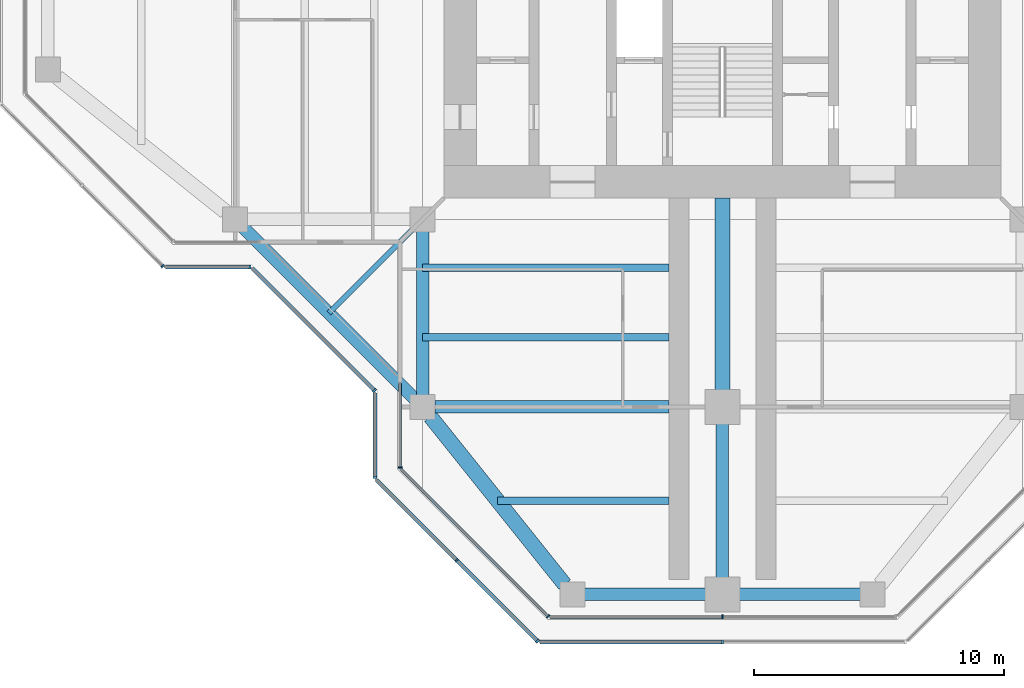
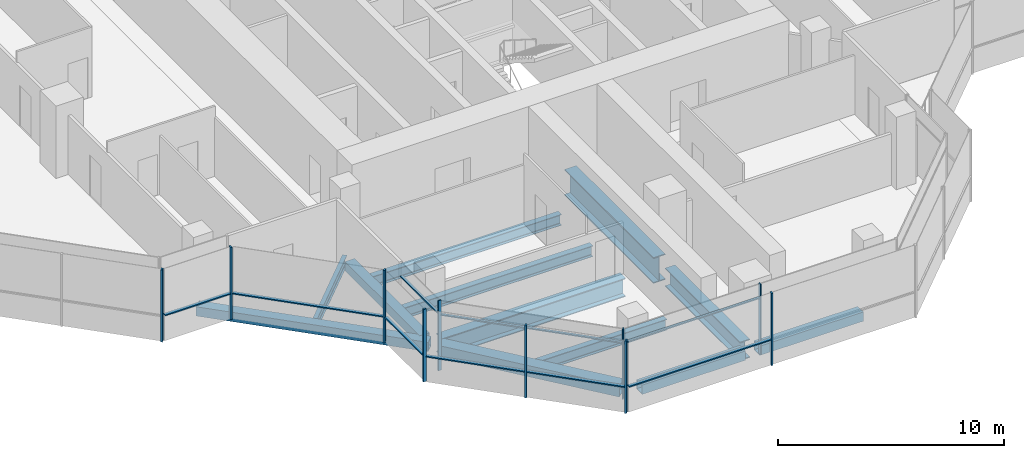
# One storey, part 2 of 16: 19 members, 12 beams, 9 elements without a shape of their own.
"""IFC4 building model written with IfcOpenShell, lengths in metres."""

from ifc_helpers import new_model, si_unit, direction, frame, origin, origin_2d, place, context, subcontext, project, spatial, rectangle, hollow_rectangle, i_section, extrude, material, material_profile, profile_set, type_object, element, aggregate, save


model = new_model("IFC4")

# Units and contexts
model_context = context("Model", 3, precision=1e-05, world=origin(), true_north=direction((0.0, 1.0)))
body_context = subcontext(model_context, "Body", "Model", "MODEL_VIEW")
ifc_project = project(units=[si_unit("LENGTHUNIT", "METRE"), si_unit("AREAUNIT", "SQUARE_METRE"), si_unit("VOLUMEUNIT", "CUBIC_METRE"), si_unit("PLANEANGLEUNIT", "RADIAN"), si_unit("MASSUNIT", "GRAM", prefix="KILO")], contexts=[model_context])

# Site, building, storey
site_placement = place(None, origin())
site = spatial("IfcSite", under=ifc_project, at=site_placement, CompositionType="ELEMENT")
building_placement = place(site_placement, origin())
building = spatial("IfcBuilding", under=site, at=building_placement, Name="Mizan Broadcast Tower", CompositionType="ELEMENT")
storey_placement = place(building_placement, frame((0.0, 0.0, 290.699951171875)))
storey = spatial("IfcBuildingStorey", under=building, at=storey_placement, Name="L69", CompositionType="ELEMENT", Elevation=290.699951171875)

# Beams
ifc_material_1 = material(Name="Steel S355", Category="steel")
ifc_material_profile_1 = material_profile(ifc_material_1, hollow_rectangle(XDim=0.5, YDim=0.5, WallThickness=0.030029296875, at=origin_2d()), Name="BOX 500x500x30")
ifc_profile_set_1 = profile_set([ifc_material_profile_1], Name="Steel S355")
beam_type_1 = type_object("IfcBeamType", Name="EDGE BEAM BOX 500x500x30", PredefinedType="SPANDREL", material=ifc_profile_set_1)
beam_1_placement = place(storey_placement, frame((-12.0, -12.449951171875, -0.3798828125), z_axis=(0.0, -1.0, 0.0), x_axis=(1.0, 0.0, 0.0)))
element("IfcBeam", 1, at=beam_1_placement, inside=storey, type_object=beam_type_1, Name="Edge beam BOX 500x500x30 L69 south arm", PredefinedType="SPANDREL", context=body_context, shape_type="SweptSolid", body=[
    extrude(hollow_rectangle(XDim=0.5, YDim=0.5, WallThickness=0.030029296875, at=origin_2d()), origin(), (0.0, 0.0, 1.0), 6.60009765625),
])
for number, where, z_axis, x_axis, name in (
    (2, (-5.639892578125, -27.0, -0.3798828125), (1.0, 0.0, 0.0), (0.0, 1.0, 0.0), "Edge beam BOX 500x500x30 L69 south arm"),
    (3, (5.639892578125, -27.0, -0.3798828125), (-1.0, 0.0, 0.0), (0.0, -1.0, 0.0), "Edge beam BOX 500x500x30 L69 south arm"),
):
    element("IfcBeam", number, at=place(storey_placement, frame(where, z_axis=z_axis, x_axis=x_axis)), inside=storey, type_object=beam_type_1, Name=name, PredefinedType="SPANDREL", context=body_context, shape_type="SweptSolid", body=[
        extrude(hollow_rectangle(XDim=0.5, YDim=0.5, WallThickness=0.030029296875, at=origin_2d()), origin(), (0.0, 0.0, 1.0), 5.27978515625),
    ])
beam_2_placement = place(storey_placement, frame((-19.5, -12.0, -0.3798828125), z_axis=(0.707106781187, -0.707106781187, 0.0), x_axis=(0.707106781187, 0.707106781187, 0.0)))
element("IfcBeam", 4, at=beam_2_placement, inside=storey, type_object=beam_type_1, Name="Winter garden edge beam L69 W", PredefinedType="SPANDREL", context=body_context, shape_type="SweptSolid", body=[
    extrude(hollow_rectangle(XDim=0.5, YDim=0.5, WallThickness=0.030029296875, at=origin_2d()), origin(), (0.0, 0.0, 1.0), 10.606689453125),
])
ifc_material_2 = material(Name="Steel S355", Category="steel")
ifc_material_profile_2 = material_profile(ifc_material_2, hollow_rectangle(XDim=0.60009765625, YDim=0.60009765625, WallThickness=0.030029296875, at=origin_2d()), Name="BOX 600x600x30")
ifc_profile_set_2 = profile_set([ifc_material_profile_2], Name="Steel S355")
beam_type_2 = type_object("IfcBeamType", Name="EDGE BEAM BOX 600x600x30", PredefinedType="SPANDREL", material=ifc_profile_set_2)
beam_3_placement = place(storey_placement, frame((-11.687744140625, -19.890380859375, -0.429931640625), z_axis=(0.62470196761, -0.780863273348, 0.0), x_axis=(0.780863273348, 0.62470196761, 0.0)))
element("IfcBeam", 5, at=beam_3_placement, inside=storey, type_object=beam_type_2, Name="Edge beam BOX 600x600x30 L69 south arm", PredefinedType="SPANDREL", context=body_context, shape_type="SweptSolid", body=[
    extrude(hollow_rectangle(XDim=0.60009765625, YDim=0.60009765625, WallThickness=0.030029296875, at=origin_2d()), origin(), (0.0, 0.0, 1.0), 8.60498046875),
])
ifc_material_3 = material(Name="Steel S460", Category="steel")
ifc_material_profile_3 = material_profile(ifc_material_3, i_section(OverallWidth=0.5, OverallDepth=1.0, WebThickness=0.02490234375, FlangeThickness=0.050048828125, at=origin_2d()), Name="WPG 1000x500")
ifc_profile_set_3 = profile_set([ifc_material_profile_3], Name="Steel S460")
beam_type_3 = type_object("IfcBeamType", Name="GIRDER WPG 1000x500", PredefinedType="BEAM", material=ifc_profile_set_3)
beam_4_placement = place(storey_placement, frame((0.0, -19.949951171875, -0.6298828125), z_axis=(0.0, -1.0, 0.0), x_axis=(1.0, 0.0, 0.0)))
element("IfcBeam", 6, at=beam_4_placement, inside=storey, type_object=beam_type_3, Name="Girder WPG 1000x500 L69 south arm", PredefinedType="BEAM", context=body_context, shape_type="SweptSolid", body=[
    extrude(i_section(OverallWidth=0.5, OverallDepth=1.0, WebThickness=0.02490234375, FlangeThickness=0.050048828125, at=origin_2d()), origin(), (0.0, 0.0, 1.0), 6.60009765625),
])
beam_5_placement = place(storey_placement, frame((-11.5, -19.5, -0.6298828125), z_axis=(1.0, 0.0, 0.0), x_axis=(0.0, 1.0, 0.0)))
element("IfcBeam", 7, at=beam_5_placement, inside=storey, type_object=beam_type_3, Name="Girder WPG 1000x500 L69 south arm", PredefinedType="BEAM", context=body_context, shape_type="SweptSolid", body=[
    extrude(i_section(OverallWidth=0.5, OverallDepth=1.0, WebThickness=0.02490234375, FlangeThickness=0.050048828125, at=origin_2d()), origin(), (0.0, 0.0, 1.0), 9.35009765625),
])
ifc_material_4 = material(Name="Steel S460", Category="steel")
ifc_material_profile_4 = material_profile(ifc_material_4, i_section(OverallWidth=0.60009765625, OverallDepth=1.39990234375, WebThickness=0.02490234375, FlangeThickness=0.06005859375, at=origin_2d()), Name="WPG 1400x600")
ifc_profile_set_4 = profile_set([ifc_material_profile_4], Name="Steel S460")
beam_type_4 = type_object("IfcBeamType", Name="GIRDER WPG 1400x600", PredefinedType="BEAM", material=ifc_profile_set_4)
beam_6_placement = place(storey_placement, frame((0.0, -11.14990234375, -0.829833984375), z_axis=(0.0, -1.0, 0.0), x_axis=(1.0, 0.0, 0.0)))
element("IfcBeam", 8, at=beam_6_placement, inside=storey, type_object=beam_type_4, Name="Girder WPG 1400x600 L69 south arm", PredefinedType="BEAM", context=body_context, shape_type="SweptSolid", body=[
    extrude(i_section(OverallWidth=0.60009765625, OverallDepth=1.39990234375, WebThickness=0.02490234375, FlangeThickness=0.06005859375, at=origin_2d()), origin(), (0.0, 0.0, 1.0), 7.84912109375),
])

# Curtain wall, member
ifc_material_5 = material(Name="Aluminium framed glazing", Category="aluminium")
curtain_wall_type_1 = type_object("IfcCurtainWallType", Name="INNER SKIN TOP ZONE", PredefinedType="USERDEFINED", material=ifc_material_5)
curtain_wall_1_placement = place(storey_placement, origin())
curtain_wall_1 = element("IfcCurtainWall", 9, at=curtain_wall_1_placement, inside=storey, type_object=curtain_wall_type_1, Name="Inner skin top zone L69 S side", ObjectType="INNER SKIN TOP ZONE", PredefinedType="USERDEFINED")
ifc_material_6 = material(Name="Aluminium, pale anodised", Category="aluminium")
ifc_material_profile_5 = material_profile(ifc_material_6, rectangle(XDim=0.159912109375, YDim=0.06005859375, at=origin_2d()), Name="MULLION 160x60")
ifc_profile_set_5 = profile_set([ifc_material_profile_5], Name="Aluminium, pale anodised")
member_type_1 = type_object("IfcMemberType", Name="INNER SKIN MULLION 60x160", PredefinedType="MULLION", material=ifc_profile_set_5)
member_1_placement = place(storey_placement, frame((-12.89990234375, -21.928466796875, 0.0), z_axis=(0.0, 0.0, 1.0), x_axis=(1.0, 0.0, 0.0)))
member_1 = element("IfcMember", 10, at=member_1_placement, type_object=member_type_1, Name="Inner skin top zone L69 S side mullion 2", PredefinedType="MULLION", context=body_context, shape_type="SweptSolid", body=[
    extrude(rectangle(XDim=0.159912109375, YDim=0.06005859375, at=origin_2d()), origin(), (0.0, 0.0, 1.0), 3.77001953125),
])

curtain_wall_2_placement = place(storey_placement, origin())
curtain_wall_2 = element("IfcCurtainWall", 11, at=curtain_wall_2_placement, inside=storey, type_object=curtain_wall_type_1, Name="Inner skin top zone L69 S chamfer", ObjectType="INNER SKIN TOP ZONE", PredefinedType="USERDEFINED")
member_2_placement = place(storey_placement, frame((-6.979736328125, -27.87890625, 0.0), z_axis=(0.0, 0.0, 1.0), x_axis=(0.707106781187, 0.707106781187, 0.0)))
member_2 = element("IfcMember", 12, at=member_2_placement, type_object=member_type_1, Name="Inner skin top zone L69 S chamfer mullion 2", PredefinedType="MULLION", context=body_context, shape_type="SweptSolid", body=[
    extrude(rectangle(XDim=0.159912109375, YDim=0.06005859375, at=origin_2d()), origin(), (0.0, 0.0, 1.0), 3.77001953125),
])

curtain_wall_3_placement = place(storey_placement, origin())
curtain_wall_3 = element("IfcCurtainWall", 13, at=curtain_wall_3_placement, inside=storey, type_object=curtain_wall_type_1, Name="Inner skin top zone L69 S end", ObjectType="INNER SKIN TOP ZONE", PredefinedType="USERDEFINED")
member_3_placement = place(storey_placement, frame((0.0, -27.89990234375, 0.0), z_axis=(0.0, 0.0, 1.0), x_axis=(0.0, 1.0, 0.0)))
member_3 = element("IfcMember", 14, at=member_3_placement, type_object=member_type_1, Name="Inner skin top zone L69 S end mullion 2", PredefinedType="MULLION", context=body_context, shape_type="SweptSolid", body=[
    extrude(rectangle(XDim=0.159912109375, YDim=0.06005859375, at=origin_2d()), origin(), (0.0, 0.0, 1.0), 3.77001953125),
])

# Member
ifc_material_7 = material(Name="Aluminium, pale anodised", Category="aluminium")
ifc_material_profile_6 = material_profile(ifc_material_7, rectangle(XDim=0.1201171875, YDim=0.06005859375, at=origin_2d()), Name="TRANSOM 120x60")
ifc_profile_set_6 = profile_set([ifc_material_profile_6], Name="Aluminium, pale anodised")
member_type_2 = type_object("IfcMemberType", Name="INNER SKIN TRANSOM 60x120", PredefinedType="USERDEFINED", material=ifc_profile_set_6)
member_4_placement = place(storey_placement, frame((-12.89990234375, -18.56005859375, 3.030029296875), z_axis=(0.0, -1.0, 0.0), x_axis=(1.0, 0.0, 0.0)))
member_4 = element("IfcMember", 15, at=member_4_placement, type_object=member_type_2, Name="Inner skin top zone L69 S side transom 1.1", ObjectType="TRANSOM", PredefinedType="USERDEFINED", context=body_context, shape_type="SweptSolid", body=[
    extrude(rectangle(XDim=0.1201171875, YDim=0.06005859375, at=origin_2d()), origin(), (0.0, 0.0, 1.0), 3.338623046875),
])

aggregate(curtain_wall_1, [member_1, member_4])

member_5_placement = place(storey_placement, frame((-12.857666015625, -22.0009765625, 3.030029296875), z_axis=(0.707106781187, -0.707106781187, 0.0), x_axis=(0.707106781187, 0.707106781187, 0.0)))
member_5 = element("IfcMember", 16, at=member_5_placement, type_object=member_type_2, Name="Inner skin top zone L69 S chamfer transom 1.1", ObjectType="TRANSOM", PredefinedType="USERDEFINED", context=body_context, shape_type="SweptSolid", body=[
    extrude(rectangle(XDim=0.1201171875, YDim=0.06005859375, at=origin_2d()), origin(), (0.0, 0.0, 1.0), 8.28271484375),
])

aggregate(curtain_wall_2, [member_2, member_5])

member_6_placement = place(storey_placement, frame((-6.898681640625, -27.89990234375, 3.030029296875), z_axis=(1.0, 0.0, 0.0), x_axis=(0.0, 1.0, 0.0)))
member_6 = element("IfcMember", 17, at=member_6_placement, type_object=member_type_2, Name="Inner skin top zone L69 S end transom 1.1", ObjectType="TRANSOM", PredefinedType="USERDEFINED", context=body_context, shape_type="SweptSolid", body=[
    extrude(rectangle(XDim=0.1201171875, YDim=0.06005859375, at=origin_2d()), origin(), (0.0, 0.0, 1.0), 6.86865234375),
])

aggregate(curtain_wall_3, [member_3, member_6])

# Curtain wall, member
ifc_material_8 = material(Name="Aluminium framed glazing", Category="aluminium")
curtain_wall_type_2 = type_object("IfcCurtainWallType", Name="OUTER SKIN", PredefinedType="USERDEFINED", material=ifc_material_8)
curtain_wall_4_placement = place(storey_placement, origin())
curtain_wall_4 = element("IfcCurtainWall", 18, at=curtain_wall_4_placement, inside=storey, type_object=curtain_wall_type_2, Name="Outer skin L69 W chamfer", ObjectType="OUTER SKIN", PredefinedType="USERDEFINED")
ifc_material_9 = material(Name="Aluminium, pale anodised", Category="aluminium")
ifc_material_profile_7 = material_profile(ifc_material_9, rectangle(XDim=0.159912109375, YDim=0.080078125, at=origin_2d()), Name="MULLION 160x80")
ifc_profile_set_7 = profile_set([ifc_material_profile_7], Name="Aluminium, pale anodised")
member_type_3 = type_object("IfcMemberType", Name="OUTER SKIN MULLION 80x160", PredefinedType="MULLION", material=ifc_profile_set_7)
member_7_placement = place(storey_placement, frame((-22.401123046875, -13.871826171875, 0.0), z_axis=(0.0, 0.0, 1.0), x_axis=(0.707106781187, 0.707106781187, 0.0)))
member_7 = element("IfcMember", 19, at=member_7_placement, type_object=member_type_3, Name="Outer skin L69 W chamfer mullion 3", PredefinedType="MULLION", context=body_context, shape_type="SweptSolid", body=[
    extrude(rectangle(XDim=0.159912109375, YDim=0.080078125, at=origin_2d()), origin(), (0.0, 0.0, 1.0), 3.900146484375),
])
aggregate(curtain_wall_4, [member_7])

curtain_wall_5_placement = place(storey_placement, origin())
curtain_wall_5 = element("IfcCurtainWall", 20, at=curtain_wall_5_placement, inside=storey, type_object=curtain_wall_type_2, Name="Outer skin L69 W side", ObjectType="OUTER SKIN", PredefinedType="USERDEFINED")
member_8_placement = place(storey_placement, frame((-18.912841796875, -13.89990234375, 0.0), z_axis=(0.0, 0.0, 1.0), x_axis=(0.0, 1.0, 0.0)))
member_8 = element("IfcMember", 21, at=member_8_placement, type_object=member_type_3, Name="Outer skin L69 W side mullion 2", PredefinedType="MULLION", context=body_context, shape_type="SweptSolid", body=[
    extrude(rectangle(XDim=0.159912109375, YDim=0.080078125, at=origin_2d()), origin(), (0.0, 0.0, 1.0), 3.900146484375),
])

curtain_wall_6_placement = place(storey_placement, origin())
curtain_wall_6 = element("IfcCurtainWall", 22, at=curtain_wall_6_placement, inside=storey, type_object=curtain_wall_type_2, Name="Outer skin L69 W chamfer", ObjectType="OUTER SKIN", PredefinedType="USERDEFINED")
member_9_placement = place(storey_placement, frame((-13.92822265625, -18.844482421875, 0.0), z_axis=(0.0, 0.0, 1.0), x_axis=(0.707106781187, 0.707106781187, 0.0)))
member_9 = element("IfcMember", 23, at=member_9_placement, type_object=member_type_3, Name="Outer skin L69 W chamfer mullion 2", PredefinedType="MULLION", context=body_context, shape_type="SweptSolid", body=[
    extrude(rectangle(XDim=0.159912109375, YDim=0.080078125, at=origin_2d()), origin(), (0.0, 0.0, 1.0), 3.900146484375),
])

curtain_wall_7_placement = place(storey_placement, origin())
curtain_wall_7 = element("IfcCurtainWall", 24, at=curtain_wall_7_placement, inside=storey, type_object=curtain_wall_type_2, Name="Outer skin L69 S side", ObjectType="OUTER SKIN", PredefinedType="USERDEFINED")
member_10_placement = place(storey_placement, frame((-13.89990234375, -22.332763671875, 0.0), z_axis=(0.0, 0.0, 1.0), x_axis=(1.0, 0.0, 0.0)))
member_10 = element("IfcMember", 25, at=member_10_placement, type_object=member_type_3, Name="Outer skin L69 S side mullion 2", PredefinedType="MULLION", context=body_context, shape_type="SweptSolid", body=[
    extrude(rectangle(XDim=0.159912109375, YDim=0.080078125, at=origin_2d()), origin(), (0.0, 0.0, 1.0), 3.900146484375),
])

# Curtain wall, members
curtain_wall_8_placement = place(storey_placement, origin())
curtain_wall_8 = element("IfcCurtainWall", 26, at=curtain_wall_8_placement, inside=storey, type_object=curtain_wall_type_2, Name="Outer skin L69 S chamfer", ObjectType="OUTER SKIN", PredefinedType="USERDEFINED")
member_11_placement = place(storey_placement, frame((-10.636474609375, -25.636474609375, 0.0), z_axis=(0.0, 0.0, 1.0), x_axis=(0.707106781187, 0.707106781187, 0.0)))
member_11 = element("IfcMember", 27, at=member_11_placement, type_object=member_type_3, Name="Outer skin L69 S chamfer mullion 2", PredefinedType="MULLION", context=body_context, shape_type="SweptSolid", body=[
    extrude(rectangle(XDim=0.159912109375, YDim=0.080078125, at=origin_2d()), origin(), (0.0, 0.0, 1.0), 3.900146484375),
])
member_12_placement = place(storey_placement, frame((-7.401123046875, -28.871826171875, 0.0), z_axis=(0.0, 0.0, 1.0), x_axis=(0.707106781187, 0.707106781187, 0.0)))
member_12 = element("IfcMember", 28, at=member_12_placement, type_object=member_type_3, Name="Outer skin L69 S chamfer mullion 3", PredefinedType="MULLION", context=body_context, shape_type="SweptSolid", body=[
    extrude(rectangle(XDim=0.159912109375, YDim=0.080078125, at=origin_2d()), origin(), (0.0, 0.0, 1.0), 3.900146484375),
])

# Curtain wall, member
curtain_wall_9_placement = place(storey_placement, origin())
curtain_wall_9 = element("IfcCurtainWall", 29, at=curtain_wall_9_placement, inside=storey, type_object=curtain_wall_type_2, Name="Outer skin L69 S end", ObjectType="OUTER SKIN", PredefinedType="USERDEFINED")
member_13_placement = place(storey_placement, frame((0.0, -28.89990234375, 0.0), z_axis=(0.0, 0.0, 1.0), x_axis=(0.0, 1.0, 0.0)))
member_13 = element("IfcMember", 30, at=member_13_placement, type_object=member_type_3, Name="Outer skin L69 S end mullion 2", PredefinedType="MULLION", context=body_context, shape_type="SweptSolid", body=[
    extrude(rectangle(XDim=0.159912109375, YDim=0.080078125, at=origin_2d()), origin(), (0.0, 0.0, 1.0), 3.900146484375),
])

# Member
ifc_material_10 = material(Name="Aluminium, pale anodised", Category="aluminium")
ifc_material_profile_8 = material_profile(ifc_material_10, rectangle(XDim=0.159912109375, YDim=0.06005859375, at=origin_2d()), Name="TRANSOM 160x60")
ifc_profile_set_8 = profile_set([ifc_material_profile_8], Name="Aluminium, pale anodised")
member_type_4 = type_object("IfcMemberType", Name="OUTER SKIN TRANSOM 60x160", PredefinedType="USERDEFINED", material=ifc_profile_set_8)
member_14_placement = place(storey_placement, frame((-22.292724609375, -13.89990234375, 1.400146484375), z_axis=(1.0, 0.0, 0.0), x_axis=(0.0, 1.0, 0.0)))
member_14 = element("IfcMember", 31, at=member_14_placement, type_object=member_type_4, Name="Outer skin L69 W side transom 1.1", ObjectType="TRANSOM", PredefinedType="USERDEFINED", context=body_context, shape_type="SweptSolid", body=[
    extrude(rectangle(XDim=0.159912109375, YDim=0.06005859375, at=origin_2d()), origin(), (0.0, 0.0, 1.0), 3.33984375),
])

aggregate(curtain_wall_5, [member_8, member_14])

member_15_placement = place(storey_placement, frame((-18.816162109375, -13.95654296875, 1.400146484375), z_axis=(0.707106781187, -0.707106781187, 0.0), x_axis=(0.707106781187, 0.707106781187, 0.0)))
member_15 = element("IfcMember", 32, at=member_15_placement, type_object=member_type_4, Name="Outer skin L69 W chamfer transom 1.1", ObjectType="TRANSOM", PredefinedType="USERDEFINED", context=body_context, shape_type="SweptSolid", body=[
    extrude(rectangle(XDim=0.159912109375, YDim=0.06005859375, at=origin_2d()), origin(), (0.0, 0.0, 1.0), 6.87255859375),
])

aggregate(curtain_wall_6, [member_9, member_15])

member_16_placement = place(storey_placement, frame((-13.89990234375, -18.952880859375, 1.400146484375), z_axis=(0.0, -1.0, 0.0), x_axis=(1.0, 0.0, 0.0)))
member_16 = element("IfcMember", 33, at=member_16_placement, type_object=member_type_4, Name="Outer skin L69 S side transom 1.1", ObjectType="TRANSOM", PredefinedType="USERDEFINED", context=body_context, shape_type="SweptSolid", body=[
    extrude(rectangle(XDim=0.159912109375, YDim=0.06005859375, at=origin_2d()), origin(), (0.0, 0.0, 1.0), 3.33984375),
])

aggregate(curtain_wall_7, [member_10, member_16])

member_17_placement = place(storey_placement, frame((-13.843505859375, -22.429443359375, 1.400146484375), z_axis=(0.707106781187, -0.707106781187, 0.0), x_axis=(0.707106781187, 0.707106781187, 0.0)))
member_17 = element("IfcMember", 34, at=member_17_placement, type_object=member_type_4, Name="Outer skin L69 S chamfer transom 1.1", ObjectType="TRANSOM", PredefinedType="USERDEFINED", context=body_context, shape_type="SweptSolid", body=[
    extrude(rectangle(XDim=0.159912109375, YDim=0.06005859375, at=origin_2d()), origin(), (0.0, 0.0, 1.0), 4.495361328125),
])

member_18_placement = place(storey_placement, frame((-10.608154296875, -25.664794921875, 1.400146484375), z_axis=(0.707106781187, -0.707106781187, 0.0), x_axis=(0.707106781187, 0.707106781187, 0.0)))
member_18 = element("IfcMember", 35, at=member_18_placement, type_object=member_type_4, Name="Outer skin L69 S chamfer transom 2.1", ObjectType="TRANSOM", PredefinedType="USERDEFINED", context=body_context, shape_type="SweptSolid", body=[
    extrude(rectangle(XDim=0.159912109375, YDim=0.06005859375, at=origin_2d()), origin(), (0.0, 0.0, 1.0), 4.495361328125),
])

aggregate(curtain_wall_8, [member_11, member_12, member_17, member_18])

member_19_placement = place(storey_placement, frame((-7.292724609375, -28.89990234375, 1.400146484375), z_axis=(1.0, 0.0, 0.0), x_axis=(0.0, 1.0, 0.0)))
member_19 = element("IfcMember", 36, at=member_19_placement, type_object=member_type_4, Name="Outer skin L69 S end transom 1.1", ObjectType="TRANSOM", PredefinedType="USERDEFINED", context=body_context, shape_type="SweptSolid", body=[
    extrude(rectangle(XDim=0.159912109375, YDim=0.06005859375, at=origin_2d()), origin(), (0.0, 0.0, 1.0), 7.252685546875),
])

aggregate(curtain_wall_9, [member_13, member_19])

# Beams
ifc_material_11 = material(Name="Steel S355", Category="steel")
ifc_material_profile_9 = material_profile(ifc_material_11, i_section(OverallWidth=0.300048828125, OverallDepth=0.590087890625, WebThickness=0.012939453125, FlangeThickness=0.02490234375, FilletRadius=0.027099609375, at=origin_2d()), Name="HEA 600")
ifc_profile_set_9 = profile_set([ifc_material_profile_9], Name="Steel S355")
beam_type_5 = type_object("IfcBeamType", Name="SECONDARY BEAM HEA 600", PredefinedType="JOIST", material=ifc_profile_set_9)
for number, where, z_axis, x_axis, name in (
    (37, (-12.0, -13.933349609375, -0.425048828125), (1.0, 0.0, 0.0), (0.0, 1.0, 0.0), "Secondary beam HEA 600 L69 south arm"),
    (38, (-12.0, -16.716552734375, -0.425048828125), (1.0, 0.0, 0.0), (0.0, 1.0, 0.0), "Secondary beam HEA 600 L69 south arm"),
):
    element("IfcBeam", number, at=place(storey_placement, frame(where, z_axis=z_axis, x_axis=x_axis)), inside=storey, type_object=beam_type_5, Name=name, PredefinedType="JOIST", context=body_context, shape_type="SweptSolid", body=[
        extrude(i_section(OverallWidth=0.300048828125, OverallDepth=0.590087890625, WebThickness=0.012939453125, FlangeThickness=0.02490234375, FilletRadius=0.027099609375, at=origin_2d()), origin(), (0.0, 0.0, 1.0), 9.85009765625),
    ])
beam_7_placement = place(storey_placement, frame((-9.0, -23.25, -0.425048828125), z_axis=(1.0, 0.0, 0.0), x_axis=(0.0, 1.0, 0.0)))
element("IfcBeam", 39, at=beam_7_placement, inside=storey, type_object=beam_type_5, Name="Secondary beam HEA 600 L69 south arm", PredefinedType="JOIST", context=body_context, shape_type="SweptSolid", body=[
    extrude(i_section(OverallWidth=0.300048828125, OverallDepth=0.590087890625, WebThickness=0.012939453125, FlangeThickness=0.02490234375, FilletRadius=0.027099609375, at=origin_2d()), origin(), (0.0, 0.0, 1.0), 6.85009765625),
])
ifc_material_12 = material(Name="Steel S355", Category="steel")
ifc_material_profile_10 = material_profile(ifc_material_12, i_section(OverallWidth=0.2099609375, OverallDepth=0.550048828125, WebThickness=0.010986328125, FlangeThickness=0.01708984375, FilletRadius=0.02392578125, at=origin_2d()), Name="IPE 550")
ifc_profile_set_10 = profile_set([ifc_material_profile_10], Name="Steel S355")
beam_type_6 = type_object("IfcBeamType", Name="SECONDARY BEAM IPE 550", PredefinedType="JOIST", material=ifc_profile_set_10)
beam_8_placement = place(storey_placement, frame((-12.0, -12.0, -0.405029296875), z_axis=(-0.707106781187, -0.707106781187, 0.0), x_axis=(0.707106781187, -0.707106781187, 0.0)))
element("IfcBeam", 40, at=beam_8_placement, inside=storey, type_object=beam_type_6, Name="Winter garden beam L69 W", PredefinedType="JOIST", context=body_context, shape_type="SweptSolid", body=[
    extrude(i_section(OverallWidth=0.2099609375, OverallDepth=0.550048828125, WebThickness=0.010986328125, FlangeThickness=0.01708984375, FilletRadius=0.02392578125, at=origin_2d()), origin(), (0.0, 0.0, 1.0), 5.30322265625),
])

save(model, "model.ifc")
